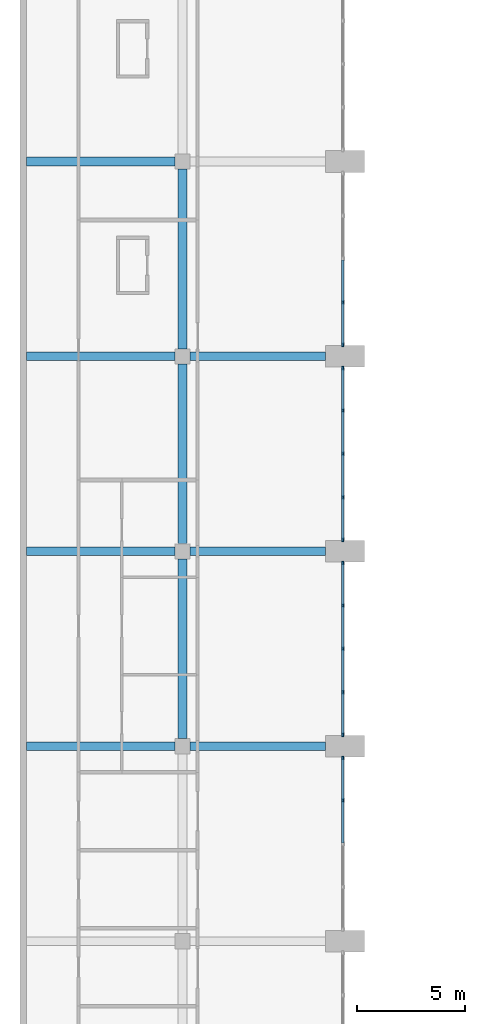
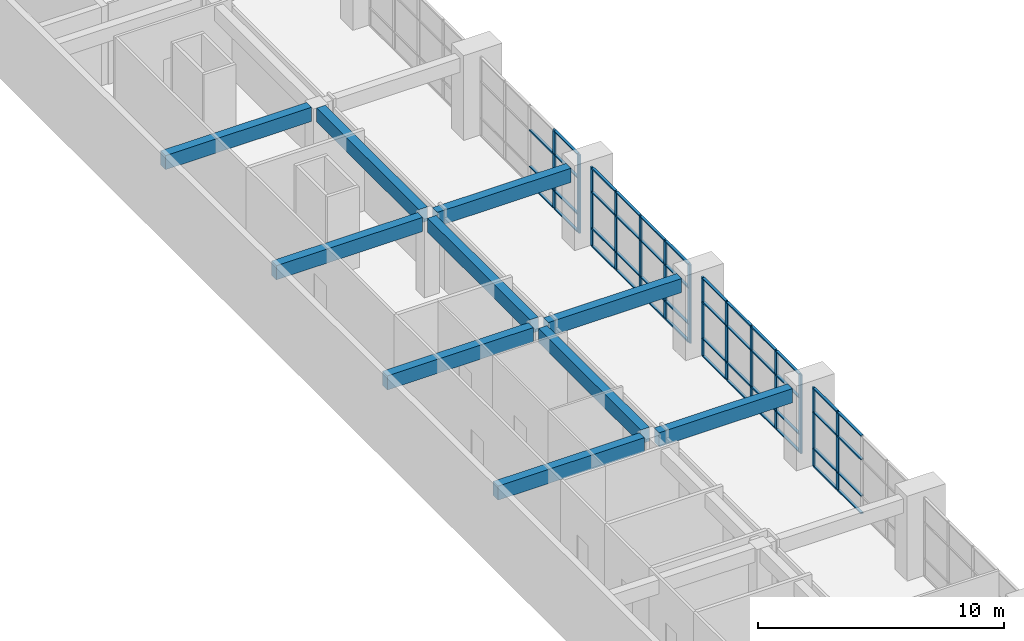
# One storey, part 7 of 45: 61 members, 10 beams, 4 elements without a shape of their own.
"""IFC4 building model written with IfcOpenShell, lengths in metres."""

import ifcopenshell
import ifcopenshell.guid

model = None  # the IFC model being written
_history = None  # IfcOwnerHistory: only IFC2X3 demands one
_inside = {}  # id of a spatial element -> (the spatial element, [elements in it])
_under = {}  # id of a project, library or spatial element -> (it, [spatial elements below it])
_declared = {}  # id of a project -> (the project, [libraries it declares])
_typed = {}  # id of a type object -> (the type object, [elements of that type])
_made_of = {}  # id of a material, layer set ... -> (it, [elements and type objects made of it])


def new_model(schema):
    """Start an empty IFC model of exactly this schema.

    Asked for "IFC4X3", IfcOpenShell would pick the latest addendum, in which some entities
    have other attributes; the version numbers below select the first issue.
    IFC2X3 requires an IfcOwnerHistory on every rooted entity: one is made here for all.
    """
    global model, _history
    if schema == "IFC4X3":
        model = ifcopenshell.file(schema_version=(4, 3, 0, 0))
    else:
        model = ifcopenshell.file(schema=schema)
    _inside.clear()
    _under.clear()
    _declared.clear()
    _typed.clear()
    _made_of.clear()
    _history = None
    if model.schema == "IFC2X3":
        org = make("IfcOrganization", Name="unknown")
        user = make(
            "IfcPersonAndOrganization",
            ThePerson=make("IfcPerson", FamilyName="unknown"),
            TheOrganization=org,
        )
        app = make(
            "IfcApplication",
            ApplicationDeveloper=org,
            Version="unknown",
            ApplicationFullName="unknown",
            ApplicationIdentifier="unknown",
        )
        _history = make(
            "IfcOwnerHistory",
            OwningUser=user,
            OwningApplication=app,
            ChangeAction="ADDED",
            CreationDate=0,
        )
    return model


def make(cls, **values):
    """One entity of the class cls with the attributes given. An attribute that is None is left unset."""
    return model.create_entity(
        cls, **{name: value for name, value in values.items() if value is not None}
    )


def rooted(cls, **values):
    """An entity with a GlobalId (a new one), such as an element, a storey or a relation."""
    return make(cls, GlobalId=ifcopenshell.guid.new(), OwnerHistory=_history, **values)


def si_unit(unit_type, name, prefix=None):
    """IfcSIUnit, for example si_unit("LENGTHUNIT", "METRE", prefix="MILLI")."""
    return make("IfcSIUnit", UnitType=unit_type, Prefix=prefix, Name=name)


def assignment(units):
    """IfcUnitAssignment: the units of a project."""
    return None if units is None else make("IfcUnitAssignment", Units=units)


def point(xyz):
    """IfcCartesianPoint."""
    return None if xyz is None else make("IfcCartesianPoint", Coordinates=xyz)


def direction(xyz):
    """IfcDirection."""
    return None if xyz is None else make("IfcDirection", DirectionRatios=xyz)


def frame(location, z_axis=None, x_axis=None):
    """IfcAxis2Placement3D, a coordinate frame: its origin and axes. An axis left out is left unset."""
    return make(
        "IfcAxis2Placement3D",
        Location=point(location),
        Axis=direction(z_axis),
        RefDirection=direction(x_axis),
    )


def frame_2d(location, x_axis=None):
    """IfcAxis2Placement2D, a coordinate frame in the plane: its origin and x axis."""
    return make(
        "IfcAxis2Placement2D", Location=point(location), RefDirection=direction(x_axis)
    )


def origin():
    """The frame at (0, 0, 0) with its axes left unset."""
    return frame((0.0, 0.0, 0.0))


def origin_2d():
    """The frame at (0, 0) in the plane with its x axis left unset."""
    return frame_2d((0.0, 0.0))


def place(relative_to, where):
    """IfcLocalPlacement: puts the frame where relative to a parent placement (None: the world)."""
    return make(
        "IfcLocalPlacement", PlacementRelTo=relative_to, RelativePlacement=where
    )


def context(
    kind, dimensions, precision=None, world=None, true_north=None, identifier=None
):
    """IfcGeometricRepresentationContext, for example the 3D "Model" context."""
    return make(
        "IfcGeometricRepresentationContext",
        ContextIdentifier=identifier,
        ContextType=kind,
        CoordinateSpaceDimension=dimensions,
        Precision=precision,
        WorldCoordinateSystem=world,
        TrueNorth=true_north,
    )


def subcontext(parent, identifier, kind, view, scale=None):
    """IfcGeometricRepresentationSubContext, for example "Body" below "Model"."""
    return make(
        "IfcGeometricRepresentationSubContext",
        ContextIdentifier=identifier,
        ContextType=kind,
        ParentContext=parent,
        TargetScale=scale,
        TargetView=view,
    )


def project(units=None, contexts=None):
    """IfcProject with its units and contexts."""
    return rooted(
        "IfcProject",
        Name="project",
        RepresentationContexts=contexts,
        UnitsInContext=assignment(units),
    )


def spatial(cls, under=None, at=None, **own):
    """A site, building, storey or space (cls), placed at a placement, below another one or the project."""
    s = rooted(cls, ObjectPlacement=at, **own)
    if under is not None:
        _under.setdefault(under.id(), (under, []))[1].append(s)
    return s


def profile(cls, at=None, kind="AREA", **sizes):
    """A parametric profile (cls). Its sizes go by their IFC names, for example OverallWidth=200.0."""
    return make(cls, ProfileType=kind, Position=at, **sizes)


def rectangle(**sizes):
    """IfcRectangleProfileDef."""
    return profile("IfcRectangleProfileDef", **sizes)


def extrude(swept, where, along, depth):
    """IfcExtrudedAreaSolid: the profile swept, set in the frame where, extruded along a direction by depth."""
    return make(
        "IfcExtrudedAreaSolid",
        SweptArea=swept,
        Position=where,
        ExtrudedDirection=direction(along),
        Depth=depth,
    )


def shape(context_of_items, identifier, shape_type, items):
    """IfcShapeRepresentation: the items that make up one representation, for example the "Body"."""
    return make(
        "IfcShapeRepresentation",
        ContextOfItems=context_of_items,
        RepresentationIdentifier=identifier,
        RepresentationType=shape_type,
        Items=items,
    )


def material(Name=None, Category=None):
    """IfcMaterial."""
    return make("IfcMaterial", Name=Name, Category=Category)


def material_profile(
    of_material, cross_section, Name=None, Category=None, Priority=None
):
    """IfcMaterialProfile: a cross section and its material."""
    return make(
        "IfcMaterialProfile",
        Name=Name,
        Material=of_material,
        Profile=cross_section,
        Priority=Priority,
        Category=Category,
    )


def profile_set(profiles, Name=None, composite=None):
    """IfcMaterialProfileSet."""
    return make(
        "IfcMaterialProfileSet",
        Name=Name,
        MaterialProfiles=profiles,
        CompositeProfile=composite,
    )


def made_of(thing, what):
    """Note that an element or type object is made of a material, layer set ...; save() writes the relation."""
    if what is not None:
        _made_of.setdefault(what.id(), (what, []))[1].append(thing)
    return thing


def type_object(cls, material=None, **own):
    """A type object (cls), such as IfcWallType, which elements share."""
    return made_of(rooted(cls, **own), material)


def element(
    cls,
    number,
    at=None,
    inside=None,
    cuts=None,
    type_object=None,
    material=None,
    context=None,
    identifier="Body",
    shape_type=None,
    held_by="IfcProductDefinitionShape",
    body=None,
    shapes=None,
    **own,
):
    """One element of the class cls, such as IfcWall. Its Tag is "e" and its number.

    at: its placement. inside: the storey or other place that contains it. cuts: it is an
    opening in that element (IfcRelVoidsElement). A single representation is given by context,
    identifier, shape_type and body (its items); several are given by shapes. held_by: the class
    of the entity that holds the representations. save() writes the other relations.
    """
    e = rooted(cls, Tag="e%d" % number, ObjectPlacement=at, **own)
    if body is not None:
        shapes = [shape(context, identifier, shape_type, body)]
    if shapes is not None:
        e.Representation = make(held_by, Representations=shapes)
    if inside is not None:
        _inside.setdefault(inside.id(), (inside, []))[1].append(e)
    if cuts is not None:
        rooted(
            "IfcRelVoidsElement", RelatingBuildingElement=cuts, RelatedOpeningElement=e
        )
    if type_object is not None:
        _typed.setdefault(type_object.id(), (type_object, []))[1].append(e)
    return made_of(e, material)


def aggregate(whole, parts):
    """IfcRelAggregates: a whole, such as a stair, and the parts it consists of."""
    return rooted("IfcRelAggregates", RelatingObject=whole, RelatedObjects=parts)


def save(model, path):
    """Write the relations noted so far, then the file.

    IfcRelAggregates (storeys below a building ...), IfcRelContainedInSpatialStructure (elements
    in a storey), IfcRelDefinesByType, IfcRelAssociatesMaterial and IfcRelDeclares: one each for
    every whole, place, type object, material and project.
    """
    for whole, parts in _under.values():
        aggregate(whole, parts)
    for where, things in _inside.values():
        rooted(
            "IfcRelContainedInSpatialStructure",
            RelatedElements=things,
            RelatingStructure=where,
        )
    for kind, things in _typed.values():
        rooted("IfcRelDefinesByType", RelatedObjects=things, RelatingType=kind)
    for what, things in _made_of.values():
        rooted("IfcRelAssociatesMaterial", RelatedObjects=things, RelatingMaterial=what)
    for by, libraries in _declared.values():
        rooted("IfcRelDeclares", RelatingContext=by, RelatedDefinitions=libraries)
    model.write(path)


model = new_model("IFC4")

# Units and contexts
model_context = context("Model", 3, precision=1e-05, world=origin(), true_north=direction((0.0, 1.0)))
body_context = subcontext(model_context, "Body", "Model", "MODEL_VIEW")
ifc_project = project(units=[si_unit("LENGTHUNIT", "METRE"), si_unit("AREAUNIT", "SQUARE_METRE"), si_unit("VOLUMEUNIT", "CUBIC_METRE"), si_unit("PLANEANGLEUNIT", "RADIAN"), si_unit("MASSUNIT", "GRAM", prefix="KILO")], contexts=[model_context])

# Site, building, storey
site_placement = place(None, origin())
site = spatial("IfcSite", under=ifc_project, at=site_placement, CompositionType="ELEMENT")
building_placement = place(site_placement, origin())
building = spatial("IfcBuilding", under=site, at=building_placement, Name="Elmora Arch Market Hall", CompositionType="ELEMENT")
storey_placement = place(building_placement, frame((0.0, 0.0, 6.0)))
storey = spatial("IfcBuildingStorey", under=building, at=storey_placement, Name="L01", CompositionType="ELEMENT", Elevation=6.0)

# Curtain wall, members
ifc_material_1 = material(Name="Aluminium", Category="aluminium")
curtain_wall_type = type_object("IfcCurtainWallType", Name="Hall front curtain wall", PredefinedType="NOTDEFINED", material=ifc_material_1)
curtain_wall_1_placement = place(storey_placement, origin())
curtain_wall_1 = element("IfcCurtainWall", 1, at=curtain_wall_1_placement, inside=storey, type_object=curtain_wall_type, Name="Wing front W L01 3", PredefinedType="NOTDEFINED")
ifc_material_2 = material(Name="Aluminium", Category="aluminium")
ifc_material_profile_1 = material_profile(ifc_material_2, rectangle(XDim=0.080078125, YDim=0.179931640625, at=origin_2d()), Name="AL 80x180")
ifc_profile_set_1 = profile_set([ifc_material_profile_1], Name="Aluminium")
member_type_1 = type_object("IfcMemberType", Name="Mullion 80x180", PredefinedType="MULLION", material=ifc_profile_set_1)
member_1_placement = place(storey_placement, frame((14.89990234375, 51.5, 0.0), z_axis=(0.0, 0.0, 1.0), x_axis=(-1.0, 0.0, 0.0)))
member_1 = element("IfcMember", 2, at=member_1_placement, type_object=member_type_1, Name="CW2 mullion 4", PredefinedType="MULLION", context=body_context, shape_type="SweptSolid", body=[
    extrude(rectangle(XDim=0.080078125, YDim=0.179931640625, at=origin_2d()), origin(), (0.0, 0.0, 1.0), 3.89990234375),
])
member_2_placement = place(storey_placement, frame((14.89990234375, 53.4599609375, 0.0), z_axis=(0.0, 0.0, 1.0), x_axis=(-1.0, 0.0, 0.0)))
member_2 = element("IfcMember", 3, at=member_2_placement, type_object=member_type_1, Name="CW2 mullion 5", PredefinedType="MULLION", context=body_context, shape_type="SweptSolid", body=[
    extrude(rectangle(XDim=0.080078125, YDim=0.179931640625, at=origin_2d()), origin(), (0.0, 0.0, 1.0), 3.89990234375),
])

curtain_wall_2_placement = place(storey_placement, origin())
curtain_wall_2 = element("IfcCurtainWall", 4, at=curtain_wall_2_placement, inside=storey, type_object=curtain_wall_type, Name="Wing front W L01 4", PredefinedType="NOTDEFINED")
member_3_placement = place(storey_placement, frame((14.89990234375, 54.5400390625, 0.0), z_axis=(0.0, 0.0, 1.0), x_axis=(-1.0, 0.0, 0.0)))
member_3 = element("IfcMember", 5, at=member_3_placement, type_object=member_type_1, Name="CW2 mullion 1", PredefinedType="MULLION", context=body_context, shape_type="SweptSolid", body=[
    extrude(rectangle(XDim=0.080078125, YDim=0.179931640625, at=origin_2d()), origin(), (0.0, 0.0, 1.0), 3.89990234375),
])
member_4_placement = place(storey_placement, frame((14.89990234375, 56.5, 0.0), z_axis=(0.0, 0.0, 1.0), x_axis=(-1.0, 0.0, 0.0)))
member_4 = element("IfcMember", 6, at=member_4_placement, type_object=member_type_1, Name="CW2 mullion 2", PredefinedType="MULLION", context=body_context, shape_type="SweptSolid", body=[
    extrude(rectangle(XDim=0.080078125, YDim=0.179931640625, at=origin_2d()), origin(), (0.0, 0.0, 1.0), 3.89990234375),
])
member_5_placement = place(storey_placement, frame((14.89990234375, 58.5, 0.0), z_axis=(0.0, 0.0, 1.0), x_axis=(-1.0, 0.0, 0.0)))
member_5 = element("IfcMember", 7, at=member_5_placement, type_object=member_type_1, Name="CW2 mullion 3", PredefinedType="MULLION", context=body_context, shape_type="SweptSolid", body=[
    extrude(rectangle(XDim=0.080078125, YDim=0.179931640625, at=origin_2d()), origin(), (0.0, 0.0, 1.0), 3.89990234375),
])
member_6_placement = place(storey_placement, frame((14.89990234375, 60.5, 0.0), z_axis=(0.0, 0.0, 1.0), x_axis=(-1.0, 0.0, 0.0)))
member_6 = element("IfcMember", 8, at=member_6_placement, type_object=member_type_1, Name="CW2 mullion 4", PredefinedType="MULLION", context=body_context, shape_type="SweptSolid", body=[
    extrude(rectangle(XDim=0.080078125, YDim=0.179931640625, at=origin_2d()), origin(), (0.0, 0.0, 1.0), 3.89990234375),
])
member_7_placement = place(storey_placement, frame((14.89990234375, 62.4599609375, 0.0), z_axis=(0.0, 0.0, 1.0), x_axis=(-1.0, 0.0, 0.0)))
member_7 = element("IfcMember", 9, at=member_7_placement, type_object=member_type_1, Name="CW2 mullion 5", PredefinedType="MULLION", context=body_context, shape_type="SweptSolid", body=[
    extrude(rectangle(XDim=0.080078125, YDim=0.179931640625, at=origin_2d()), origin(), (0.0, 0.0, 1.0), 3.89990234375),
])

curtain_wall_3_placement = place(storey_placement, origin())
curtain_wall_3 = element("IfcCurtainWall", 10, at=curtain_wall_3_placement, inside=storey, type_object=curtain_wall_type, Name="Wing front W L01 5", PredefinedType="NOTDEFINED")
member_8_placement = place(storey_placement, frame((14.89990234375, 63.5400390625, 0.0), z_axis=(0.0, 0.0, 1.0), x_axis=(-1.0, 0.0, 0.0)))
member_8 = element("IfcMember", 11, at=member_8_placement, type_object=member_type_1, Name="CW2 mullion 1", PredefinedType="MULLION", context=body_context, shape_type="SweptSolid", body=[
    extrude(rectangle(XDim=0.080078125, YDim=0.179931640625, at=origin_2d()), origin(), (0.0, 0.0, 1.0), 3.89990234375),
])
member_9_placement = place(storey_placement, frame((14.89990234375, 65.5, 0.0), z_axis=(0.0, 0.0, 1.0), x_axis=(-1.0, 0.0, 0.0)))
member_9 = element("IfcMember", 12, at=member_9_placement, type_object=member_type_1, Name="CW2 mullion 2", PredefinedType="MULLION", context=body_context, shape_type="SweptSolid", body=[
    extrude(rectangle(XDim=0.080078125, YDim=0.179931640625, at=origin_2d()), origin(), (0.0, 0.0, 1.0), 3.89990234375),
])
member_10_placement = place(storey_placement, frame((14.89990234375, 67.5, 0.0), z_axis=(0.0, 0.0, 1.0), x_axis=(-1.0, 0.0, 0.0)))
member_10 = element("IfcMember", 13, at=member_10_placement, type_object=member_type_1, Name="CW2 mullion 3", PredefinedType="MULLION", context=body_context, shape_type="SweptSolid", body=[
    extrude(rectangle(XDim=0.080078125, YDim=0.179931640625, at=origin_2d()), origin(), (0.0, 0.0, 1.0), 3.89990234375),
])
member_11_placement = place(storey_placement, frame((14.89990234375, 69.5, 0.0), z_axis=(0.0, 0.0, 1.0), x_axis=(-1.0, 0.0, 0.0)))
member_11 = element("IfcMember", 14, at=member_11_placement, type_object=member_type_1, Name="CW2 mullion 4", PredefinedType="MULLION", context=body_context, shape_type="SweptSolid", body=[
    extrude(rectangle(XDim=0.080078125, YDim=0.179931640625, at=origin_2d()), origin(), (0.0, 0.0, 1.0), 3.89990234375),
])
member_12_placement = place(storey_placement, frame((14.89990234375, 71.4599609375, 0.0), z_axis=(0.0, 0.0, 1.0), x_axis=(-1.0, 0.0, 0.0)))
member_12 = element("IfcMember", 15, at=member_12_placement, type_object=member_type_1, Name="CW2 mullion 5", PredefinedType="MULLION", context=body_context, shape_type="SweptSolid", body=[
    extrude(rectangle(XDim=0.080078125, YDim=0.179931640625, at=origin_2d()), origin(), (0.0, 0.0, 1.0), 3.89990234375),
])

curtain_wall_4_placement = place(storey_placement, origin())
curtain_wall_4 = element("IfcCurtainWall", 16, at=curtain_wall_4_placement, inside=storey, type_object=curtain_wall_type, Name="Wing front W L01 6", PredefinedType="NOTDEFINED")
member_13_placement = place(storey_placement, frame((14.89990234375, 72.5400390625, 0.0), z_axis=(0.0, 0.0, 1.0), x_axis=(-1.0, 0.0, 0.0)))
member_13 = element("IfcMember", 17, at=member_13_placement, type_object=member_type_1, Name="CW2 mullion 1", PredefinedType="MULLION", context=body_context, shape_type="SweptSolid", body=[
    extrude(rectangle(XDim=0.080078125, YDim=0.179931640625, at=origin_2d()), origin(), (0.0, 0.0, 1.0), 3.89990234375),
])
member_14_placement = place(storey_placement, frame((14.89990234375, 74.5, 0.0), z_axis=(0.0, 0.0, 1.0), x_axis=(-1.0, 0.0, 0.0)))
member_14 = element("IfcMember", 18, at=member_14_placement, type_object=member_type_1, Name="CW2 mullion 2", PredefinedType="MULLION", context=body_context, shape_type="SweptSolid", body=[
    extrude(rectangle(XDim=0.080078125, YDim=0.179931640625, at=origin_2d()), origin(), (0.0, 0.0, 1.0), 3.89990234375),
])

# Member
ifc_material_3 = material(Name="Aluminium", Category="aluminium")
ifc_material_profile_2 = material_profile(ifc_material_3, rectangle(XDim=0.1201171875, YDim=0.06005859375, at=origin_2d()), Name="AL 120x60")
ifc_profile_set_2 = profile_set([ifc_material_profile_2], Name="Aluminium")
member_type_2 = type_object("IfcMemberType", Name="Transom 120x60", PredefinedType="USERDEFINED", material=ifc_profile_set_2)
member_15_placement = place(storey_placement, frame((14.89990234375, 49.5400390625, 0.030029296875), z_axis=(0.0, 1.0, 0.0), x_axis=(-1.0, 0.0, 0.0)))
member_15 = element("IfcMember", 19, at=member_15_placement, type_object=member_type_2, Name="CW2 transom 3.1", ObjectType="TRANSOM", PredefinedType="USERDEFINED", context=body_context, shape_type="SweptSolid", body=[
    extrude(rectangle(XDim=0.1201171875, YDim=0.06005859375, at=origin_2d()), origin(), (0.0, 0.0, 1.0), 1.919921875),
])

member_16_placement = place(storey_placement, frame((14.89990234375, 49.5400390625, 0.89990234375), z_axis=(0.0, 1.0, 0.0), x_axis=(-1.0, 0.0, 0.0)))
member_16 = element("IfcMember", 20, at=member_16_placement, type_object=member_type_2, Name="CW2 transom 3.2", ObjectType="TRANSOM", PredefinedType="USERDEFINED", context=body_context, shape_type="SweptSolid", body=[
    extrude(rectangle(XDim=0.1201171875, YDim=0.06005859375, at=origin_2d()), origin(), (0.0, 0.0, 1.0), 1.919921875),
])

member_17_placement = place(storey_placement, frame((14.89990234375, 49.5400390625, 2.699951171875), z_axis=(0.0, 1.0, 0.0), x_axis=(-1.0, 0.0, 0.0)))
member_17 = element("IfcMember", 21, at=member_17_placement, type_object=member_type_2, Name="CW2 transom 3.3", ObjectType="TRANSOM", PredefinedType="USERDEFINED", context=body_context, shape_type="SweptSolid", body=[
    extrude(rectangle(XDim=0.1201171875, YDim=0.06005859375, at=origin_2d()), origin(), (0.0, 0.0, 1.0), 1.919921875),
])

member_18_placement = place(storey_placement, frame((14.89990234375, 49.5400390625, 3.8701171875), z_axis=(0.0, 1.0, 0.0), x_axis=(-1.0, 0.0, 0.0)))
member_18 = element("IfcMember", 22, at=member_18_placement, type_object=member_type_2, Name="CW2 transom 3.4", ObjectType="TRANSOM", PredefinedType="USERDEFINED", context=body_context, shape_type="SweptSolid", body=[
    extrude(rectangle(XDim=0.1201171875, YDim=0.06005859375, at=origin_2d()), origin(), (0.0, 0.0, 1.0), 1.919921875),
])

member_19_placement = place(storey_placement, frame((14.89990234375, 51.5400390625, 0.030029296875), z_axis=(0.0, 1.0, 0.0), x_axis=(-1.0, 0.0, 0.0)))
member_19 = element("IfcMember", 23, at=member_19_placement, type_object=member_type_2, Name="CW2 transom 4.1", ObjectType="TRANSOM", PredefinedType="USERDEFINED", context=body_context, shape_type="SweptSolid", body=[
    extrude(rectangle(XDim=0.1201171875, YDim=0.06005859375, at=origin_2d()), origin(), (0.0, 0.0, 1.0), 1.8798828125),
])

member_20_placement = place(storey_placement, frame((14.89990234375, 51.5400390625, 0.89990234375), z_axis=(0.0, 1.0, 0.0), x_axis=(-1.0, 0.0, 0.0)))
member_20 = element("IfcMember", 24, at=member_20_placement, type_object=member_type_2, Name="CW2 transom 4.2", ObjectType="TRANSOM", PredefinedType="USERDEFINED", context=body_context, shape_type="SweptSolid", body=[
    extrude(rectangle(XDim=0.1201171875, YDim=0.06005859375, at=origin_2d()), origin(), (0.0, 0.0, 1.0), 1.8798828125),
])

member_21_placement = place(storey_placement, frame((14.89990234375, 51.5400390625, 2.699951171875), z_axis=(0.0, 1.0, 0.0), x_axis=(-1.0, 0.0, 0.0)))
member_21 = element("IfcMember", 25, at=member_21_placement, type_object=member_type_2, Name="CW2 transom 4.3", ObjectType="TRANSOM", PredefinedType="USERDEFINED", context=body_context, shape_type="SweptSolid", body=[
    extrude(rectangle(XDim=0.1201171875, YDim=0.06005859375, at=origin_2d()), origin(), (0.0, 0.0, 1.0), 1.8798828125),
])

member_22_placement = place(storey_placement, frame((14.89990234375, 51.5400390625, 3.8701171875), z_axis=(0.0, 1.0, 0.0), x_axis=(-1.0, 0.0, 0.0)))
member_22 = element("IfcMember", 26, at=member_22_placement, type_object=member_type_2, Name="CW2 transom 4.4", ObjectType="TRANSOM", PredefinedType="USERDEFINED", context=body_context, shape_type="SweptSolid", body=[
    extrude(rectangle(XDim=0.1201171875, YDim=0.06005859375, at=origin_2d()), origin(), (0.0, 0.0, 1.0), 1.8798828125),
])

aggregate(curtain_wall_1, [member_1, member_2, member_15, member_16, member_17, member_18, member_19, member_20, member_21, member_22])

member_23_placement = place(storey_placement, frame((14.89990234375, 54.580078125, 0.030029296875), z_axis=(0.0, 1.0, 0.0), x_axis=(-1.0, 0.0, 0.0)))
member_23 = element("IfcMember", 27, at=member_23_placement, type_object=member_type_2, Name="CW2 transom 1.1", ObjectType="TRANSOM", PredefinedType="USERDEFINED", context=body_context, shape_type="SweptSolid", body=[
    extrude(rectangle(XDim=0.1201171875, YDim=0.06005859375, at=origin_2d()), origin(), (0.0, 0.0, 1.0), 1.8798828125),
])

member_24_placement = place(storey_placement, frame((14.89990234375, 54.580078125, 0.89990234375), z_axis=(0.0, 1.0, 0.0), x_axis=(-1.0, 0.0, 0.0)))
member_24 = element("IfcMember", 28, at=member_24_placement, type_object=member_type_2, Name="CW2 transom 1.2", ObjectType="TRANSOM", PredefinedType="USERDEFINED", context=body_context, shape_type="SweptSolid", body=[
    extrude(rectangle(XDim=0.1201171875, YDim=0.06005859375, at=origin_2d()), origin(), (0.0, 0.0, 1.0), 1.8798828125),
])

member_25_placement = place(storey_placement, frame((14.89990234375, 54.580078125, 2.699951171875), z_axis=(0.0, 1.0, 0.0), x_axis=(-1.0, 0.0, 0.0)))
member_25 = element("IfcMember", 29, at=member_25_placement, type_object=member_type_2, Name="CW2 transom 1.3", ObjectType="TRANSOM", PredefinedType="USERDEFINED", context=body_context, shape_type="SweptSolid", body=[
    extrude(rectangle(XDim=0.1201171875, YDim=0.06005859375, at=origin_2d()), origin(), (0.0, 0.0, 1.0), 1.8798828125),
])

member_26_placement = place(storey_placement, frame((14.89990234375, 54.580078125, 3.8701171875), z_axis=(0.0, 1.0, 0.0), x_axis=(-1.0, 0.0, 0.0)))
member_26 = element("IfcMember", 30, at=member_26_placement, type_object=member_type_2, Name="CW2 transom 1.4", ObjectType="TRANSOM", PredefinedType="USERDEFINED", context=body_context, shape_type="SweptSolid", body=[
    extrude(rectangle(XDim=0.1201171875, YDim=0.06005859375, at=origin_2d()), origin(), (0.0, 0.0, 1.0), 1.8798828125),
])

member_27_placement = place(storey_placement, frame((14.89990234375, 56.5400390625, 0.030029296875), z_axis=(0.0, 1.0, 0.0), x_axis=(-1.0, 0.0, 0.0)))
member_27 = element("IfcMember", 31, at=member_27_placement, type_object=member_type_2, Name="CW2 transom 2.1", ObjectType="TRANSOM", PredefinedType="USERDEFINED", context=body_context, shape_type="SweptSolid", body=[
    extrude(rectangle(XDim=0.1201171875, YDim=0.06005859375, at=origin_2d()), origin(), (0.0, 0.0, 1.0), 1.919921875),
])

member_28_placement = place(storey_placement, frame((14.89990234375, 56.5400390625, 0.89990234375), z_axis=(0.0, 1.0, 0.0), x_axis=(-1.0, 0.0, 0.0)))
member_28 = element("IfcMember", 32, at=member_28_placement, type_object=member_type_2, Name="CW2 transom 2.2", ObjectType="TRANSOM", PredefinedType="USERDEFINED", context=body_context, shape_type="SweptSolid", body=[
    extrude(rectangle(XDim=0.1201171875, YDim=0.06005859375, at=origin_2d()), origin(), (0.0, 0.0, 1.0), 1.919921875),
])

member_29_placement = place(storey_placement, frame((14.89990234375, 56.5400390625, 2.699951171875), z_axis=(0.0, 1.0, 0.0), x_axis=(-1.0, 0.0, 0.0)))
member_29 = element("IfcMember", 33, at=member_29_placement, type_object=member_type_2, Name="CW2 transom 2.3", ObjectType="TRANSOM", PredefinedType="USERDEFINED", context=body_context, shape_type="SweptSolid", body=[
    extrude(rectangle(XDim=0.1201171875, YDim=0.06005859375, at=origin_2d()), origin(), (0.0, 0.0, 1.0), 1.919921875),
])

member_30_placement = place(storey_placement, frame((14.89990234375, 56.5400390625, 3.8701171875), z_axis=(0.0, 1.0, 0.0), x_axis=(-1.0, 0.0, 0.0)))
member_30 = element("IfcMember", 34, at=member_30_placement, type_object=member_type_2, Name="CW2 transom 2.4", ObjectType="TRANSOM", PredefinedType="USERDEFINED", context=body_context, shape_type="SweptSolid", body=[
    extrude(rectangle(XDim=0.1201171875, YDim=0.06005859375, at=origin_2d()), origin(), (0.0, 0.0, 1.0), 1.919921875),
])

member_31_placement = place(storey_placement, frame((14.89990234375, 58.5400390625, 0.030029296875), z_axis=(0.0, 1.0, 0.0), x_axis=(-1.0, 0.0, 0.0)))
member_31 = element("IfcMember", 35, at=member_31_placement, type_object=member_type_2, Name="CW2 transom 3.1", ObjectType="TRANSOM", PredefinedType="USERDEFINED", context=body_context, shape_type="SweptSolid", body=[
    extrude(rectangle(XDim=0.1201171875, YDim=0.06005859375, at=origin_2d()), origin(), (0.0, 0.0, 1.0), 1.919921875),
])

member_32_placement = place(storey_placement, frame((14.89990234375, 58.5400390625, 0.89990234375), z_axis=(0.0, 1.0, 0.0), x_axis=(-1.0, 0.0, 0.0)))
member_32 = element("IfcMember", 36, at=member_32_placement, type_object=member_type_2, Name="CW2 transom 3.2", ObjectType="TRANSOM", PredefinedType="USERDEFINED", context=body_context, shape_type="SweptSolid", body=[
    extrude(rectangle(XDim=0.1201171875, YDim=0.06005859375, at=origin_2d()), origin(), (0.0, 0.0, 1.0), 1.919921875),
])

member_33_placement = place(storey_placement, frame((14.89990234375, 58.5400390625, 2.699951171875), z_axis=(0.0, 1.0, 0.0), x_axis=(-1.0, 0.0, 0.0)))
member_33 = element("IfcMember", 37, at=member_33_placement, type_object=member_type_2, Name="CW2 transom 3.3", ObjectType="TRANSOM", PredefinedType="USERDEFINED", context=body_context, shape_type="SweptSolid", body=[
    extrude(rectangle(XDim=0.1201171875, YDim=0.06005859375, at=origin_2d()), origin(), (0.0, 0.0, 1.0), 1.919921875),
])

member_34_placement = place(storey_placement, frame((14.89990234375, 58.5400390625, 3.8701171875), z_axis=(0.0, 1.0, 0.0), x_axis=(-1.0, 0.0, 0.0)))
member_34 = element("IfcMember", 38, at=member_34_placement, type_object=member_type_2, Name="CW2 transom 3.4", ObjectType="TRANSOM", PredefinedType="USERDEFINED", context=body_context, shape_type="SweptSolid", body=[
    extrude(rectangle(XDim=0.1201171875, YDim=0.06005859375, at=origin_2d()), origin(), (0.0, 0.0, 1.0), 1.919921875),
])

member_35_placement = place(storey_placement, frame((14.89990234375, 60.5400390625, 0.030029296875), z_axis=(0.0, 1.0, 0.0), x_axis=(-1.0, 0.0, 0.0)))
member_35 = element("IfcMember", 39, at=member_35_placement, type_object=member_type_2, Name="CW2 transom 4.1", ObjectType="TRANSOM", PredefinedType="USERDEFINED", context=body_context, shape_type="SweptSolid", body=[
    extrude(rectangle(XDim=0.1201171875, YDim=0.06005859375, at=origin_2d()), origin(), (0.0, 0.0, 1.0), 1.8798828125),
])

member_36_placement = place(storey_placement, frame((14.89990234375, 60.5400390625, 0.89990234375), z_axis=(0.0, 1.0, 0.0), x_axis=(-1.0, 0.0, 0.0)))
member_36 = element("IfcMember", 40, at=member_36_placement, type_object=member_type_2, Name="CW2 transom 4.2", ObjectType="TRANSOM", PredefinedType="USERDEFINED", context=body_context, shape_type="SweptSolid", body=[
    extrude(rectangle(XDim=0.1201171875, YDim=0.06005859375, at=origin_2d()), origin(), (0.0, 0.0, 1.0), 1.8798828125),
])

member_37_placement = place(storey_placement, frame((14.89990234375, 60.5400390625, 2.699951171875), z_axis=(0.0, 1.0, 0.0), x_axis=(-1.0, 0.0, 0.0)))
member_37 = element("IfcMember", 41, at=member_37_placement, type_object=member_type_2, Name="CW2 transom 4.3", ObjectType="TRANSOM", PredefinedType="USERDEFINED", context=body_context, shape_type="SweptSolid", body=[
    extrude(rectangle(XDim=0.1201171875, YDim=0.06005859375, at=origin_2d()), origin(), (0.0, 0.0, 1.0), 1.8798828125),
])

member_38_placement = place(storey_placement, frame((14.89990234375, 60.5400390625, 3.8701171875), z_axis=(0.0, 1.0, 0.0), x_axis=(-1.0, 0.0, 0.0)))
member_38 = element("IfcMember", 42, at=member_38_placement, type_object=member_type_2, Name="CW2 transom 4.4", ObjectType="TRANSOM", PredefinedType="USERDEFINED", context=body_context, shape_type="SweptSolid", body=[
    extrude(rectangle(XDim=0.1201171875, YDim=0.06005859375, at=origin_2d()), origin(), (0.0, 0.0, 1.0), 1.8798828125),
])

aggregate(curtain_wall_2, [member_3, member_4, member_5, member_6, member_7, member_23, member_24, member_25, member_26, member_27, member_28, member_29, member_30, member_31, member_32, member_33, member_34, member_35, member_36, member_37, member_38])

member_39_placement = place(storey_placement, frame((14.89990234375, 63.580078125, 0.030029296875), z_axis=(0.0, 1.0, 0.0), x_axis=(-1.0, 0.0, 0.0)))
member_39 = element("IfcMember", 43, at=member_39_placement, type_object=member_type_2, Name="CW2 transom 1.1", ObjectType="TRANSOM", PredefinedType="USERDEFINED", context=body_context, shape_type="SweptSolid", body=[
    extrude(rectangle(XDim=0.1201171875, YDim=0.06005859375, at=origin_2d()), origin(), (0.0, 0.0, 1.0), 1.8798828125),
])

member_40_placement = place(storey_placement, frame((14.89990234375, 63.580078125, 0.89990234375), z_axis=(0.0, 1.0, 0.0), x_axis=(-1.0, 0.0, 0.0)))
member_40 = element("IfcMember", 44, at=member_40_placement, type_object=member_type_2, Name="CW2 transom 1.2", ObjectType="TRANSOM", PredefinedType="USERDEFINED", context=body_context, shape_type="SweptSolid", body=[
    extrude(rectangle(XDim=0.1201171875, YDim=0.06005859375, at=origin_2d()), origin(), (0.0, 0.0, 1.0), 1.8798828125),
])

member_41_placement = place(storey_placement, frame((14.89990234375, 63.580078125, 2.699951171875), z_axis=(0.0, 1.0, 0.0), x_axis=(-1.0, 0.0, 0.0)))
member_41 = element("IfcMember", 45, at=member_41_placement, type_object=member_type_2, Name="CW2 transom 1.3", ObjectType="TRANSOM", PredefinedType="USERDEFINED", context=body_context, shape_type="SweptSolid", body=[
    extrude(rectangle(XDim=0.1201171875, YDim=0.06005859375, at=origin_2d()), origin(), (0.0, 0.0, 1.0), 1.8798828125),
])

member_42_placement = place(storey_placement, frame((14.89990234375, 63.580078125, 3.8701171875), z_axis=(0.0, 1.0, 0.0), x_axis=(-1.0, 0.0, 0.0)))
member_42 = element("IfcMember", 46, at=member_42_placement, type_object=member_type_2, Name="CW2 transom 1.4", ObjectType="TRANSOM", PredefinedType="USERDEFINED", context=body_context, shape_type="SweptSolid", body=[
    extrude(rectangle(XDim=0.1201171875, YDim=0.06005859375, at=origin_2d()), origin(), (0.0, 0.0, 1.0), 1.8798828125),
])

member_43_placement = place(storey_placement, frame((14.89990234375, 65.5400390625, 0.030029296875), z_axis=(0.0, 1.0, 0.0), x_axis=(-1.0, 0.0, 0.0)))
member_43 = element("IfcMember", 47, at=member_43_placement, type_object=member_type_2, Name="CW2 transom 2.1", ObjectType="TRANSOM", PredefinedType="USERDEFINED", context=body_context, shape_type="SweptSolid", body=[
    extrude(rectangle(XDim=0.1201171875, YDim=0.06005859375, at=origin_2d()), origin(), (0.0, 0.0, 1.0), 1.919921875),
])

member_44_placement = place(storey_placement, frame((14.89990234375, 65.5400390625, 0.89990234375), z_axis=(0.0, 1.0, 0.0), x_axis=(-1.0, 0.0, 0.0)))
member_44 = element("IfcMember", 48, at=member_44_placement, type_object=member_type_2, Name="CW2 transom 2.2", ObjectType="TRANSOM", PredefinedType="USERDEFINED", context=body_context, shape_type="SweptSolid", body=[
    extrude(rectangle(XDim=0.1201171875, YDim=0.06005859375, at=origin_2d()), origin(), (0.0, 0.0, 1.0), 1.919921875),
])

member_45_placement = place(storey_placement, frame((14.89990234375, 65.5400390625, 2.699951171875), z_axis=(0.0, 1.0, 0.0), x_axis=(-1.0, 0.0, 0.0)))
member_45 = element("IfcMember", 49, at=member_45_placement, type_object=member_type_2, Name="CW2 transom 2.3", ObjectType="TRANSOM", PredefinedType="USERDEFINED", context=body_context, shape_type="SweptSolid", body=[
    extrude(rectangle(XDim=0.1201171875, YDim=0.06005859375, at=origin_2d()), origin(), (0.0, 0.0, 1.0), 1.919921875),
])

member_46_placement = place(storey_placement, frame((14.89990234375, 65.5400390625, 3.8701171875), z_axis=(0.0, 1.0, 0.0), x_axis=(-1.0, 0.0, 0.0)))
member_46 = element("IfcMember", 50, at=member_46_placement, type_object=member_type_2, Name="CW2 transom 2.4", ObjectType="TRANSOM", PredefinedType="USERDEFINED", context=body_context, shape_type="SweptSolid", body=[
    extrude(rectangle(XDim=0.1201171875, YDim=0.06005859375, at=origin_2d()), origin(), (0.0, 0.0, 1.0), 1.919921875),
])

member_47_placement = place(storey_placement, frame((14.89990234375, 67.5400390625, 0.030029296875), z_axis=(0.0, 1.0, 0.0), x_axis=(-1.0, 0.0, 0.0)))
member_47 = element("IfcMember", 51, at=member_47_placement, type_object=member_type_2, Name="CW2 transom 3.1", ObjectType="TRANSOM", PredefinedType="USERDEFINED", context=body_context, shape_type="SweptSolid", body=[
    extrude(rectangle(XDim=0.1201171875, YDim=0.06005859375, at=origin_2d()), origin(), (0.0, 0.0, 1.0), 1.919921875),
])

member_48_placement = place(storey_placement, frame((14.89990234375, 67.5400390625, 0.89990234375), z_axis=(0.0, 1.0, 0.0), x_axis=(-1.0, 0.0, 0.0)))
member_48 = element("IfcMember", 52, at=member_48_placement, type_object=member_type_2, Name="CW2 transom 3.2", ObjectType="TRANSOM", PredefinedType="USERDEFINED", context=body_context, shape_type="SweptSolid", body=[
    extrude(rectangle(XDim=0.1201171875, YDim=0.06005859375, at=origin_2d()), origin(), (0.0, 0.0, 1.0), 1.919921875),
])

member_49_placement = place(storey_placement, frame((14.89990234375, 67.5400390625, 2.699951171875), z_axis=(0.0, 1.0, 0.0), x_axis=(-1.0, 0.0, 0.0)))
member_49 = element("IfcMember", 53, at=member_49_placement, type_object=member_type_2, Name="CW2 transom 3.3", ObjectType="TRANSOM", PredefinedType="USERDEFINED", context=body_context, shape_type="SweptSolid", body=[
    extrude(rectangle(XDim=0.1201171875, YDim=0.06005859375, at=origin_2d()), origin(), (0.0, 0.0, 1.0), 1.919921875),
])

member_50_placement = place(storey_placement, frame((14.89990234375, 67.5400390625, 3.8701171875), z_axis=(0.0, 1.0, 0.0), x_axis=(-1.0, 0.0, 0.0)))
member_50 = element("IfcMember", 54, at=member_50_placement, type_object=member_type_2, Name="CW2 transom 3.4", ObjectType="TRANSOM", PredefinedType="USERDEFINED", context=body_context, shape_type="SweptSolid", body=[
    extrude(rectangle(XDim=0.1201171875, YDim=0.06005859375, at=origin_2d()), origin(), (0.0, 0.0, 1.0), 1.919921875),
])

member_51_placement = place(storey_placement, frame((14.89990234375, 69.5400390625, 0.030029296875), z_axis=(0.0, 1.0, 0.0), x_axis=(-1.0, 0.0, 0.0)))
member_51 = element("IfcMember", 55, at=member_51_placement, type_object=member_type_2, Name="CW2 transom 4.1", ObjectType="TRANSOM", PredefinedType="USERDEFINED", context=body_context, shape_type="SweptSolid", body=[
    extrude(rectangle(XDim=0.1201171875, YDim=0.06005859375, at=origin_2d()), origin(), (0.0, 0.0, 1.0), 1.8798828125),
])

member_52_placement = place(storey_placement, frame((14.89990234375, 69.5400390625, 0.89990234375), z_axis=(0.0, 1.0, 0.0), x_axis=(-1.0, 0.0, 0.0)))
member_52 = element("IfcMember", 56, at=member_52_placement, type_object=member_type_2, Name="CW2 transom 4.2", ObjectType="TRANSOM", PredefinedType="USERDEFINED", context=body_context, shape_type="SweptSolid", body=[
    extrude(rectangle(XDim=0.1201171875, YDim=0.06005859375, at=origin_2d()), origin(), (0.0, 0.0, 1.0), 1.8798828125),
])

member_53_placement = place(storey_placement, frame((14.89990234375, 69.5400390625, 2.699951171875), z_axis=(0.0, 1.0, 0.0), x_axis=(-1.0, 0.0, 0.0)))
member_53 = element("IfcMember", 57, at=member_53_placement, type_object=member_type_2, Name="CW2 transom 4.3", ObjectType="TRANSOM", PredefinedType="USERDEFINED", context=body_context, shape_type="SweptSolid", body=[
    extrude(rectangle(XDim=0.1201171875, YDim=0.06005859375, at=origin_2d()), origin(), (0.0, 0.0, 1.0), 1.8798828125),
])

member_54_placement = place(storey_placement, frame((14.89990234375, 69.5400390625, 3.8701171875), z_axis=(0.0, 1.0, 0.0), x_axis=(-1.0, 0.0, 0.0)))
member_54 = element("IfcMember", 58, at=member_54_placement, type_object=member_type_2, Name="CW2 transom 4.4", ObjectType="TRANSOM", PredefinedType="USERDEFINED", context=body_context, shape_type="SweptSolid", body=[
    extrude(rectangle(XDim=0.1201171875, YDim=0.06005859375, at=origin_2d()), origin(), (0.0, 0.0, 1.0), 1.8798828125),
])

aggregate(curtain_wall_3, [member_8, member_9, member_10, member_11, member_12, member_39, member_40, member_41, member_42, member_43, member_44, member_45, member_46, member_47, member_48, member_49, member_50, member_51, member_52, member_53, member_54])

member_55_placement = place(storey_placement, frame((14.89990234375, 72.580078125, 0.030029296875), z_axis=(0.0, 1.0, 0.0), x_axis=(-1.0, 0.0, 0.0)))
member_55 = element("IfcMember", 59, at=member_55_placement, type_object=member_type_2, Name="CW2 transom 1.1", ObjectType="TRANSOM", PredefinedType="USERDEFINED", context=body_context, shape_type="SweptSolid", body=[
    extrude(rectangle(XDim=0.1201171875, YDim=0.06005859375, at=origin_2d()), origin(), (0.0, 0.0, 1.0), 1.8798828125),
])

member_56_placement = place(storey_placement, frame((14.89990234375, 72.580078125, 0.89990234375), z_axis=(0.0, 1.0, 0.0), x_axis=(-1.0, 0.0, 0.0)))
member_56 = element("IfcMember", 60, at=member_56_placement, type_object=member_type_2, Name="CW2 transom 1.2", ObjectType="TRANSOM", PredefinedType="USERDEFINED", context=body_context, shape_type="SweptSolid", body=[
    extrude(rectangle(XDim=0.1201171875, YDim=0.06005859375, at=origin_2d()), origin(), (0.0, 0.0, 1.0), 1.8798828125),
])

member_57_placement = place(storey_placement, frame((14.89990234375, 72.580078125, 2.699951171875), z_axis=(0.0, 1.0, 0.0), x_axis=(-1.0, 0.0, 0.0)))
member_57 = element("IfcMember", 61, at=member_57_placement, type_object=member_type_2, Name="CW2 transom 1.3", ObjectType="TRANSOM", PredefinedType="USERDEFINED", context=body_context, shape_type="SweptSolid", body=[
    extrude(rectangle(XDim=0.1201171875, YDim=0.06005859375, at=origin_2d()), origin(), (0.0, 0.0, 1.0), 1.8798828125),
])

member_58_placement = place(storey_placement, frame((14.89990234375, 72.580078125, 3.8701171875), z_axis=(0.0, 1.0, 0.0), x_axis=(-1.0, 0.0, 0.0)))
member_58 = element("IfcMember", 62, at=member_58_placement, type_object=member_type_2, Name="CW2 transom 1.4", ObjectType="TRANSOM", PredefinedType="USERDEFINED", context=body_context, shape_type="SweptSolid", body=[
    extrude(rectangle(XDim=0.1201171875, YDim=0.06005859375, at=origin_2d()), origin(), (0.0, 0.0, 1.0), 1.8798828125),
])

member_59_placement = place(storey_placement, frame((14.89990234375, 74.5400390625, 0.030029296875), z_axis=(0.0, 1.0, 0.0), x_axis=(-1.0, 0.0, 0.0)))
member_59 = element("IfcMember", 63, at=member_59_placement, type_object=member_type_2, Name="CW2 transom 2.1", ObjectType="TRANSOM", PredefinedType="USERDEFINED", context=body_context, shape_type="SweptSolid", body=[
    extrude(rectangle(XDim=0.1201171875, YDim=0.06005859375, at=origin_2d()), origin(), (0.0, 0.0, 1.0), 1.919921875),
])

member_60_placement = place(storey_placement, frame((14.89990234375, 74.5400390625, 0.89990234375), z_axis=(0.0, 1.0, 0.0), x_axis=(-1.0, 0.0, 0.0)))
member_60 = element("IfcMember", 64, at=member_60_placement, type_object=member_type_2, Name="CW2 transom 2.2", ObjectType="TRANSOM", PredefinedType="USERDEFINED", context=body_context, shape_type="SweptSolid", body=[
    extrude(rectangle(XDim=0.1201171875, YDim=0.06005859375, at=origin_2d()), origin(), (0.0, 0.0, 1.0), 1.919921875),
])

member_61_placement = place(storey_placement, frame((14.89990234375, 74.5400390625, 2.699951171875), z_axis=(0.0, 1.0, 0.0), x_axis=(-1.0, 0.0, 0.0)))
member_61 = element("IfcMember", 65, at=member_61_placement, type_object=member_type_2, Name="CW2 transom 2.3", ObjectType="TRANSOM", PredefinedType="USERDEFINED", context=body_context, shape_type="SweptSolid", body=[
    extrude(rectangle(XDim=0.1201171875, YDim=0.06005859375, at=origin_2d()), origin(), (0.0, 0.0, 1.0), 1.919921875),
])

aggregate(curtain_wall_4, [member_13, member_14, member_55, member_56, member_57, member_58, member_59, member_60, member_61])

# Beams
ifc_material_4 = material(Name="Concrete C32/40", Category="concrete")
ifc_material_profile_3 = material_profile(ifc_material_4, rectangle(XDim=0.39990234375, YDim=0.699951171875, at=origin_2d()), Name="Wing beam 400x700")
ifc_profile_set_3 = profile_set([ifc_material_profile_3], Name="Concrete C32/40")
beam_type = type_object("IfcBeamType", Name="Wing beam 400x700", PredefinedType="BEAM", material=ifc_profile_set_3)
beam_1_placement = place(storey_placement, frame((0.300048828125, 54.0, 3.550048828125), z_axis=(1.0, 0.0, 0.0), x_axis=(0.0, 1.0, 0.0)))
element("IfcBeam", 66, at=beam_1_placement, inside=storey, type_object=beam_type, Name="Wing beam WR4 L01.1", PredefinedType="BEAM", context=body_context, shape_type="SweptSolid", body=[
    extrude(rectangle(XDim=0.39990234375, YDim=0.699951171875, at=origin_2d()), origin(), (0.0, 0.0, 1.0), 6.849853515625),
])
beam_2_placement = place(storey_placement, frame((7.85009765625, 54.0, 3.550048828125), z_axis=(1.0, 0.0, 0.0), x_axis=(0.0, 1.0, 0.0)))
element("IfcBeam", 67, at=beam_2_placement, inside=storey, type_object=beam_type, Name="Wing beam WR4 L01.2", PredefinedType="BEAM", context=body_context, shape_type="SweptSolid", body=[
    extrude(rectangle(XDim=0.39990234375, YDim=0.699951171875, at=origin_2d()), origin(), (0.0, 0.0, 1.0), 6.25),
])
beam_3_placement = place(storey_placement, frame((0.300048828125, 63.0, 3.550048828125), z_axis=(1.0, 0.0, 0.0), x_axis=(0.0, 1.0, 0.0)))
element("IfcBeam", 68, at=beam_3_placement, inside=storey, type_object=beam_type, Name="Wing beam WR5 L01.1", PredefinedType="BEAM", context=body_context, shape_type="SweptSolid", body=[
    extrude(rectangle(XDim=0.39990234375, YDim=0.699951171875, at=origin_2d()), origin(), (0.0, 0.0, 1.0), 6.849853515625),
])
beam_4_placement = place(storey_placement, frame((7.85009765625, 63.0, 3.550048828125), z_axis=(1.0, 0.0, 0.0), x_axis=(0.0, 1.0, 0.0)))
element("IfcBeam", 69, at=beam_4_placement, inside=storey, type_object=beam_type, Name="Wing beam WR5 L01.2", PredefinedType="BEAM", context=body_context, shape_type="SweptSolid", body=[
    extrude(rectangle(XDim=0.39990234375, YDim=0.699951171875, at=origin_2d()), origin(), (0.0, 0.0, 1.0), 6.25),
])
beam_5_placement = place(storey_placement, frame((0.300048828125, 72.0, 3.550048828125), z_axis=(1.0, 0.0, 0.0), x_axis=(0.0, 1.0, 0.0)))
element("IfcBeam", 70, at=beam_5_placement, inside=storey, type_object=beam_type, Name="Wing beam WR6 L01.1", PredefinedType="BEAM", context=body_context, shape_type="SweptSolid", body=[
    extrude(rectangle(XDim=0.39990234375, YDim=0.699951171875, at=origin_2d()), origin(), (0.0, 0.0, 1.0), 6.849853515625),
])
beam_6_placement = place(storey_placement, frame((7.85009765625, 72.0, 3.550048828125), z_axis=(1.0, 0.0, 0.0), x_axis=(0.0, 1.0, 0.0)))
element("IfcBeam", 71, at=beam_6_placement, inside=storey, type_object=beam_type, Name="Wing beam WR6 L01.2", PredefinedType="BEAM", context=body_context, shape_type="SweptSolid", body=[
    extrude(rectangle(XDim=0.39990234375, YDim=0.699951171875, at=origin_2d()), origin(), (0.0, 0.0, 1.0), 6.25),
])
beam_7_placement = place(storey_placement, frame((0.300048828125, 81.0, 3.550048828125), z_axis=(1.0, 0.0, 0.0), x_axis=(0.0, 1.0, 0.0)))
element("IfcBeam", 72, at=beam_7_placement, inside=storey, type_object=beam_type, Name="Wing beam WR7 L01.1", PredefinedType="BEAM", context=body_context, shape_type="SweptSolid", body=[
    extrude(rectangle(XDim=0.39990234375, YDim=0.699951171875, at=origin_2d()), origin(), (0.0, 0.0, 1.0), 6.849853515625),
])
for number, where, z_axis, x_axis, name in (
    (73, (7.5, 54.35009765625, 3.550048828125), (0.0, 1.0, 0.0), (-1.0, 0.0, 0.0), "Wing beam WG L01.4"),
    (74, (7.5, 63.35009765625, 3.550048828125), (0.0, 1.0, 0.0), (-1.0, 0.0, 0.0), "Wing beam WG L01.5"),
    (75, (7.5, 72.35009765625, 3.550048828125), (0.0, 1.0, 0.0), (-1.0, 0.0, 0.0), "Wing beam WG L01.6"),
):
    element("IfcBeam", number, at=place(storey_placement, frame(where, z_axis=z_axis, x_axis=x_axis)), inside=storey, type_object=beam_type, Name=name, PredefinedType="BEAM", context=body_context, shape_type="SweptSolid", body=[
        extrude(rectangle(XDim=0.39990234375, YDim=0.699951171875, at=origin_2d()), origin(), (0.0, 0.0, 1.0), 8.2998046875),
    ])

save(model, "model.ifc")
